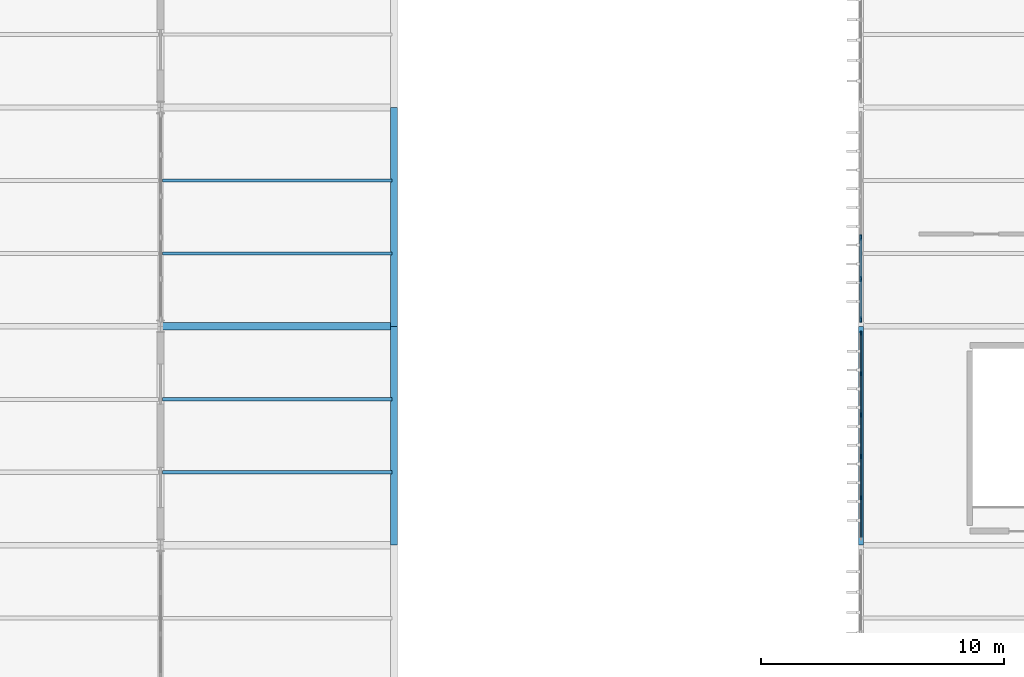
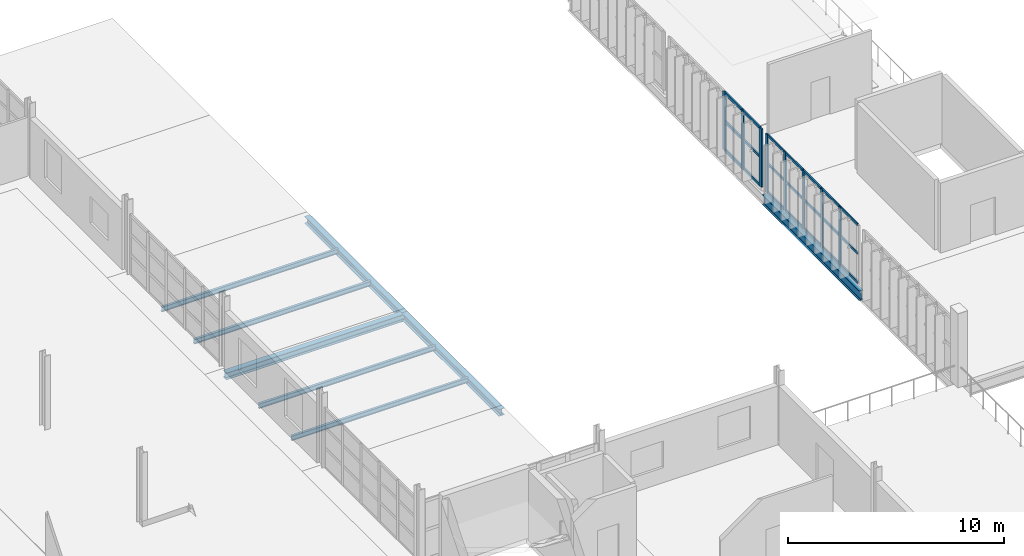
# One storey, part 22 of 82: 29 members, 8 beams, 2 elements without a shape of their own.
"""IFC4 building model written with IfcOpenShell, lengths in metres."""

from ifc_helpers import new_model, si_unit, direction, frame, origin, origin_2d, place, context, subcontext, project, spatial, rectangle, i_section, extrude, material, layer, layer_set, material_profile, profile_set, type_object, element, aggregate, save


model = new_model("IFC4")

# Units and contexts
model_context = context("Model", 3, precision=1e-05, world=origin(), true_north=direction((0.0, 1.0)))
body_context = subcontext(model_context, "Body", "Model", "MODEL_VIEW")
ifc_project = project(units=[si_unit("LENGTHUNIT", "METRE"), si_unit("AREAUNIT", "SQUARE_METRE"), si_unit("VOLUMEUNIT", "CUBIC_METRE"), si_unit("PLANEANGLEUNIT", "RADIAN"), si_unit("MASSUNIT", "GRAM", prefix="KILO")], contexts=[model_context])

# Site, building, storey
site_placement = place(None, origin())
site = spatial("IfcSite", under=ifc_project, at=site_placement, CompositionType="ELEMENT")
building_placement = place(site_placement, origin())
building = spatial("IfcBuilding", under=site, at=building_placement, Name="Zarnetskaya Central Station", CompositionType="ELEMENT")
storey_placement = place(building_placement, frame((0.0, 0.0, 10.199951171875)))
storey = spatial("IfcBuildingStorey", under=building, at=storey_placement, Name="L02", CompositionType="ELEMENT", Elevation=10.199951171875)

# Beams
ifc_material_1 = material(Name="Steel S355", Category="steel")
ifc_material_profile_1 = material_profile(ifc_material_1, i_section(OverallWidth=0.135009765625, OverallDepth=0.27001953125, WebThickness=0.006591796875, FlangeThickness=0.01025390625, FilletRadius=0.014892578125, at=origin_2d()), Name="IPE 270")
ifc_profile_set_1 = profile_set([ifc_material_profile_1], Name="Steel S355")
beam_type_1 = type_object("IfcBeamType", Name="BM-JST-270", PredefinedType="JOIST", material=ifc_profile_set_1)
for number, where, z_axis, x_axis, name in (
    (1, (28.8798828125, 34.199951171875, -0.344970703125), (1.0, 0.0, 0.0), (0.0, 1.0, 0.0), "Secondary floor beam SEC-L02-Z999-DE-56-1"),
    (2, (28.8798828125, 37.199951171875, -0.344970703125), (1.0, 0.0, 0.0), (0.0, 1.0, 0.0), "Secondary floor beam SEC-L02-Z999-DE-56-2"),
    (3, (28.8798828125, 43.199951171875, -0.344970703125), (1.0, 0.0, 0.0), (0.0, 1.0, 0.0), "Secondary floor beam SEC-L02-Z999-DE-67-1"),
    (4, (28.8798828125, 46.199951171875, -0.344970703125), (1.0, 0.0, 0.0), (0.0, 1.0, 0.0), "Secondary floor beam SEC-L02-Z999-DE-67-2"),
):
    element("IfcBeam", number, at=place(storey_placement, frame(where, z_axis=z_axis, x_axis=x_axis)), inside=storey, type_object=beam_type_1, Name=name, PredefinedType="JOIST", context=body_context, shape_type="SweptSolid", body=[
        extrude(i_section(OverallWidth=0.135009765625, OverallDepth=0.27001953125, WebThickness=0.006591796875, FlangeThickness=0.01025390625, FilletRadius=0.014892578125, at=origin_2d()), origin(), (0.0, 0.0, 1.0), 9.440185546875),
    ])

# Curtain wall, members
ifc_material_2 = material(Name="Low-E insulated glass", Category="glass")
ifc_layer = layer(ifc_material_2, 0.176025390625, Name="Low-E insulated glass", Category="glass")
ifc_layer_set = layer_set([ifc_layer], Name="Low-E insulated glass")
curtain_wall_type = type_object("IfcCurtainWallType", Name="CW-SYS-15", PredefinedType="USERDEFINED", material=ifc_layer_set)
curtain_wall_1_placement = place(storey_placement, origin())
curtain_wall_1 = element("IfcCurtainWall", 5, at=curtain_wall_1_placement, inside=storey, type_object=curtain_wall_type, Name="Curtain wall CW-L02-091", ObjectType="CURTAIN WALL", PredefinedType="USERDEFINED")
ifc_material_3 = material(Name="Anodised aluminium", Category="aluminium")
ifc_material_profile_2 = material_profile(ifc_material_3, rectangle(XDim=0.070068359375, YDim=0.179931640625, at=origin_2d()), Name="ALU MULL 70x180")
ifc_profile_set_2 = profile_set([ifc_material_profile_2], Name="Anodised aluminium")
member_type_1 = type_object("IfcMemberType", Name="CW-MULL-180", PredefinedType="MULLION", material=ifc_profile_set_2)
member_1_placement = place(storey_placement, frame((57.60009765625, 33.14990234375, 0.0), z_axis=(0.0, 0.0, 1.0), x_axis=(-1.0, 0.0, 0.0)))
member_1 = element("IfcMember", 6, at=member_1_placement, type_object=member_type_1, Name="CW-05 mullion 2", PredefinedType="MULLION", context=body_context, shape_type="SweptSolid", body=[
    extrude(rectangle(XDim=0.070068359375, YDim=0.179931640625, at=origin_2d()), origin(), (0.0, 0.0, 1.0), 3.300048828125),
])
member_2_placement = place(storey_placement, frame((57.60009765625, 34.85009765625, 0.0), z_axis=(0.0, 0.0, 1.0), x_axis=(-1.0, 0.0, 0.0)))
member_2 = element("IfcMember", 7, at=member_2_placement, type_object=member_type_1, Name="CW-05 mullion 3", PredefinedType="MULLION", context=body_context, shape_type="SweptSolid", body=[
    extrude(rectangle(XDim=0.070068359375, YDim=0.179931640625, at=origin_2d()), origin(), (0.0, 0.0, 1.0), 3.300048828125),
])
member_3_placement = place(storey_placement, frame((57.60009765625, 36.550048828125, 0.0), z_axis=(0.0, 0.0, 1.0), x_axis=(-1.0, 0.0, 0.0)))
member_3 = element("IfcMember", 8, at=member_3_placement, type_object=member_type_1, Name="CW-05 mullion 4", PredefinedType="MULLION", context=body_context, shape_type="SweptSolid", body=[
    extrude(rectangle(XDim=0.070068359375, YDim=0.179931640625, at=origin_2d()), origin(), (0.0, 0.0, 1.0), 3.300048828125),
])
member_4_placement = place(storey_placement, frame((57.60009765625, 38.25, 0.0), z_axis=(0.0, 0.0, 1.0), x_axis=(-1.0, 0.0, 0.0)))
member_4 = element("IfcMember", 9, at=member_4_placement, type_object=member_type_1, Name="CW-05 mullion 5", PredefinedType="MULLION", context=body_context, shape_type="SweptSolid", body=[
    extrude(rectangle(XDim=0.070068359375, YDim=0.179931640625, at=origin_2d()), origin(), (0.0, 0.0, 1.0), 3.300048828125),
])
member_5_placement = place(storey_placement, frame((57.60009765625, 39.9150390625, 0.0), z_axis=(0.0, 0.0, 1.0), x_axis=(-1.0, 0.0, 0.0)))
member_5 = element("IfcMember", 10, at=member_5_placement, type_object=member_type_1, Name="CW-05 mullion 6", PredefinedType="MULLION", context=body_context, shape_type="SweptSolid", body=[
    extrude(rectangle(XDim=0.070068359375, YDim=0.179931640625, at=origin_2d()), origin(), (0.0, 0.0, 1.0), 3.300048828125),
])

curtain_wall_2_placement = place(storey_placement, origin())
curtain_wall_2 = element("IfcCurtainWall", 11, at=curtain_wall_2_placement, inside=storey, type_object=curtain_wall_type, Name="Curtain wall CW-L02-094", ObjectType="CURTAIN WALL", PredefinedType="USERDEFINED")
ifc_material_profile_3 = material_profile(ifc_material_3, rectangle(XDim=0.080078125, YDim=0.219970703125, at=origin_2d()), Name="ALU MULL 80x220")
ifc_profile_set_3 = profile_set([ifc_material_profile_3], Name="Anodised aluminium")
member_type_2 = type_object("IfcMemberType", Name="CW-MULL-220", PredefinedType="MULLION", material=ifc_profile_set_3)
member_6_placement = place(storey_placement, frame((57.60009765625, 40.489990234375, 0.0), z_axis=(0.0, 0.0, 1.0), x_axis=(-1.0, 0.0, 0.0)))
member_6 = element("IfcMember", 12, at=member_6_placement, type_object=member_type_2, Name="CW-05 mullion 1", PredefinedType="MULLION", context=body_context, shape_type="SweptSolid", body=[
    extrude(rectangle(XDim=0.080078125, YDim=0.219970703125, at=origin_2d()), origin(), (0.0, 0.0, 1.0), 3.300048828125),
])
member_7_placement = place(storey_placement, frame((57.60009765625, 42.14990234375, 0.0), z_axis=(0.0, 0.0, 1.0), x_axis=(-1.0, 0.0, 0.0)))
member_7 = element("IfcMember", 13, at=member_7_placement, type_object=member_type_2, Name="CW-05 mullion 2", PredefinedType="MULLION", context=body_context, shape_type="SweptSolid", body=[
    extrude(rectangle(XDim=0.080078125, YDim=0.219970703125, at=origin_2d()), origin(), (0.0, 0.0, 1.0), 3.300048828125),
])
member_8_placement = place(storey_placement, frame((57.60009765625, 43.85009765625, 0.0), z_axis=(0.0, 0.0, 1.0), x_axis=(-1.0, 0.0, 0.0)))
member_8 = element("IfcMember", 14, at=member_8_placement, type_object=member_type_2, Name="CW-05 mullion 3", PredefinedType="MULLION", context=body_context, shape_type="SweptSolid", body=[
    extrude(rectangle(XDim=0.080078125, YDim=0.219970703125, at=origin_2d()), origin(), (0.0, 0.0, 1.0), 3.300048828125),
])

# Member
ifc_material_profile_4 = material_profile(ifc_material_3, rectangle(XDim=0.070068359375, YDim=0.139892578125, at=origin_2d()), Name="ALU TRAN 70x140")
ifc_profile_set_4 = profile_set([ifc_material_profile_4], Name="Anodised aluminium")
member_type_3 = type_object("IfcMemberType", Name="CW-TRAN-140", PredefinedType="USERDEFINED", material=ifc_profile_set_4)
member_9_placement = place(storey_placement, frame((57.60009765625, 31.52001953125, 0.03515625), z_axis=(0.0, 1.0, 0.0), x_axis=(-1.0, 0.0, 0.0)))
member_9 = element("IfcMember", 15, at=member_9_placement, type_object=member_type_3, Name="CW-05 transom 1.1", ObjectType="TRANSOM", PredefinedType="USERDEFINED", context=body_context, shape_type="SweptSolid", body=[
    extrude(rectangle(XDim=0.070068359375, YDim=0.139892578125, at=origin_2d()), origin(), (0.0, 0.0, 1.0), 1.594970703125),
])

member_10_placement = place(storey_placement, frame((57.60009765625, 31.52001953125, 1.650146484375), z_axis=(0.0, 1.0, 0.0), x_axis=(-1.0, 0.0, 0.0)))
member_10 = element("IfcMember", 16, at=member_10_placement, type_object=member_type_3, Name="CW-05 transom 1.2", ObjectType="TRANSOM", PredefinedType="USERDEFINED", context=body_context, shape_type="SweptSolid", body=[
    extrude(rectangle(XDim=0.070068359375, YDim=0.139892578125, at=origin_2d()), origin(), (0.0, 0.0, 1.0), 1.594970703125),
])

member_11_placement = place(storey_placement, frame((57.60009765625, 31.52001953125, 3.26513671875), z_axis=(0.0, 1.0, 0.0), x_axis=(-1.0, 0.0, 0.0)))
member_11 = element("IfcMember", 17, at=member_11_placement, type_object=member_type_3, Name="CW-05 transom 1.3", ObjectType="TRANSOM", PredefinedType="USERDEFINED", context=body_context, shape_type="SweptSolid", body=[
    extrude(rectangle(XDim=0.070068359375, YDim=0.139892578125, at=origin_2d()), origin(), (0.0, 0.0, 1.0), 1.594970703125),
])

member_12_placement = place(storey_placement, frame((57.60009765625, 33.18505859375, 0.03515625), z_axis=(0.0, 1.0, 0.0), x_axis=(-1.0, 0.0, 0.0)))
member_12 = element("IfcMember", 18, at=member_12_placement, type_object=member_type_3, Name="CW-05 transom 2.1", ObjectType="TRANSOM", PredefinedType="USERDEFINED", context=body_context, shape_type="SweptSolid", body=[
    extrude(rectangle(XDim=0.070068359375, YDim=0.139892578125, at=origin_2d()), origin(), (0.0, 0.0, 1.0), 1.6298828125),
])

member_13_placement = place(storey_placement, frame((57.60009765625, 33.18505859375, 1.650146484375), z_axis=(0.0, 1.0, 0.0), x_axis=(-1.0, 0.0, 0.0)))
member_13 = element("IfcMember", 19, at=member_13_placement, type_object=member_type_3, Name="CW-05 transom 2.2", ObjectType="TRANSOM", PredefinedType="USERDEFINED", context=body_context, shape_type="SweptSolid", body=[
    extrude(rectangle(XDim=0.070068359375, YDim=0.139892578125, at=origin_2d()), origin(), (0.0, 0.0, 1.0), 1.6298828125),
])

member_14_placement = place(storey_placement, frame((57.60009765625, 33.18505859375, 3.26513671875), z_axis=(0.0, 1.0, 0.0), x_axis=(-1.0, 0.0, 0.0)))
member_14 = element("IfcMember", 20, at=member_14_placement, type_object=member_type_3, Name="CW-05 transom 2.3", ObjectType="TRANSOM", PredefinedType="USERDEFINED", context=body_context, shape_type="SweptSolid", body=[
    extrude(rectangle(XDim=0.070068359375, YDim=0.139892578125, at=origin_2d()), origin(), (0.0, 0.0, 1.0), 1.6298828125),
])

member_15_placement = place(storey_placement, frame((57.60009765625, 34.885009765625, 0.03515625), z_axis=(0.0, 1.0, 0.0), x_axis=(-1.0, 0.0, 0.0)))
member_15 = element("IfcMember", 21, at=member_15_placement, type_object=member_type_3, Name="CW-05 transom 3.1", ObjectType="TRANSOM", PredefinedType="USERDEFINED", context=body_context, shape_type="SweptSolid", body=[
    extrude(rectangle(XDim=0.070068359375, YDim=0.139892578125, at=origin_2d()), origin(), (0.0, 0.0, 1.0), 1.6298828125),
])

member_16_placement = place(storey_placement, frame((57.60009765625, 34.885009765625, 1.650146484375), z_axis=(0.0, 1.0, 0.0), x_axis=(-1.0, 0.0, 0.0)))
member_16 = element("IfcMember", 22, at=member_16_placement, type_object=member_type_3, Name="CW-05 transom 3.2", ObjectType="TRANSOM", PredefinedType="USERDEFINED", context=body_context, shape_type="SweptSolid", body=[
    extrude(rectangle(XDim=0.070068359375, YDim=0.139892578125, at=origin_2d()), origin(), (0.0, 0.0, 1.0), 1.6298828125),
])

member_17_placement = place(storey_placement, frame((57.60009765625, 34.885009765625, 3.26513671875), z_axis=(0.0, 1.0, 0.0), x_axis=(-1.0, 0.0, 0.0)))
member_17 = element("IfcMember", 23, at=member_17_placement, type_object=member_type_3, Name="CW-05 transom 3.3", ObjectType="TRANSOM", PredefinedType="USERDEFINED", context=body_context, shape_type="SweptSolid", body=[
    extrude(rectangle(XDim=0.070068359375, YDim=0.139892578125, at=origin_2d()), origin(), (0.0, 0.0, 1.0), 1.6298828125),
])

member_18_placement = place(storey_placement, frame((57.60009765625, 36.5849609375, 0.03515625), z_axis=(0.0, 1.0, 0.0), x_axis=(-1.0, 0.0, 0.0)))
member_18 = element("IfcMember", 24, at=member_18_placement, type_object=member_type_3, Name="CW-05 transom 4.1", ObjectType="TRANSOM", PredefinedType="USERDEFINED", context=body_context, shape_type="SweptSolid", body=[
    extrude(rectangle(XDim=0.070068359375, YDim=0.139892578125, at=origin_2d()), origin(), (0.0, 0.0, 1.0), 1.630126953125),
])

member_19_placement = place(storey_placement, frame((57.60009765625, 36.5849609375, 1.650146484375), z_axis=(0.0, 1.0, 0.0), x_axis=(-1.0, 0.0, 0.0)))
member_19 = element("IfcMember", 25, at=member_19_placement, type_object=member_type_3, Name="CW-05 transom 4.2", ObjectType="TRANSOM", PredefinedType="USERDEFINED", context=body_context, shape_type="SweptSolid", body=[
    extrude(rectangle(XDim=0.070068359375, YDim=0.139892578125, at=origin_2d()), origin(), (0.0, 0.0, 1.0), 1.630126953125),
])

member_20_placement = place(storey_placement, frame((57.60009765625, 36.5849609375, 3.26513671875), z_axis=(0.0, 1.0, 0.0), x_axis=(-1.0, 0.0, 0.0)))
member_20 = element("IfcMember", 26, at=member_20_placement, type_object=member_type_3, Name="CW-05 transom 4.3", ObjectType="TRANSOM", PredefinedType="USERDEFINED", context=body_context, shape_type="SweptSolid", body=[
    extrude(rectangle(XDim=0.070068359375, YDim=0.139892578125, at=origin_2d()), origin(), (0.0, 0.0, 1.0), 1.630126953125),
])

member_21_placement = place(storey_placement, frame((57.60009765625, 38.284912109375, 0.03515625), z_axis=(0.0, 1.0, 0.0), x_axis=(-1.0, 0.0, 0.0)))
member_21 = element("IfcMember", 27, at=member_21_placement, type_object=member_type_3, Name="CW-05 transom 5.1", ObjectType="TRANSOM", PredefinedType="USERDEFINED", context=body_context, shape_type="SweptSolid", body=[
    extrude(rectangle(XDim=0.070068359375, YDim=0.139892578125, at=origin_2d()), origin(), (0.0, 0.0, 1.0), 1.594970703125),
])

member_22_placement = place(storey_placement, frame((57.60009765625, 38.284912109375, 1.650146484375), z_axis=(0.0, 1.0, 0.0), x_axis=(-1.0, 0.0, 0.0)))
member_22 = element("IfcMember", 28, at=member_22_placement, type_object=member_type_3, Name="CW-05 transom 5.2", ObjectType="TRANSOM", PredefinedType="USERDEFINED", context=body_context, shape_type="SweptSolid", body=[
    extrude(rectangle(XDim=0.070068359375, YDim=0.139892578125, at=origin_2d()), origin(), (0.0, 0.0, 1.0), 1.594970703125),
])

member_23_placement = place(storey_placement, frame((57.60009765625, 38.284912109375, 3.26513671875), z_axis=(0.0, 1.0, 0.0), x_axis=(-1.0, 0.0, 0.0)))
member_23 = element("IfcMember", 29, at=member_23_placement, type_object=member_type_3, Name="CW-05 transom 5.3", ObjectType="TRANSOM", PredefinedType="USERDEFINED", context=body_context, shape_type="SweptSolid", body=[
    extrude(rectangle(XDim=0.070068359375, YDim=0.139892578125, at=origin_2d()), origin(), (0.0, 0.0, 1.0), 1.594970703125),
])

aggregate(curtain_wall_1, [member_1, member_2, member_3, member_4, member_5, member_9, member_10, member_11, member_12, member_13, member_14, member_15, member_16, member_17, member_18, member_19, member_20, member_21, member_22, member_23])

ifc_material_profile_5 = material_profile(ifc_material_3, rectangle(XDim=0.080078125, YDim=0.159912109375, at=origin_2d()), Name="ALU TRAN 80x160")
ifc_profile_set_5 = profile_set([ifc_material_profile_5], Name="Anodised aluminium")
member_type_4 = type_object("IfcMemberType", Name="CW-TRAN-160", PredefinedType="USERDEFINED", material=ifc_profile_set_5)
member_24_placement = place(storey_placement, frame((57.60009765625, 40.530029296875, 0.0400390625), z_axis=(0.0, 1.0, 0.0), x_axis=(-1.0, 0.0, 0.0)))
member_24 = element("IfcMember", 30, at=member_24_placement, type_object=member_type_4, Name="CW-05 transom 1.1", ObjectType="TRANSOM", PredefinedType="USERDEFINED", context=body_context, shape_type="SweptSolid", body=[
    extrude(rectangle(XDim=0.080078125, YDim=0.159912109375, at=origin_2d()), origin(), (0.0, 0.0, 1.0), 1.580078125),
])

member_25_placement = place(storey_placement, frame((57.60009765625, 40.530029296875, 1.650146484375), z_axis=(0.0, 1.0, 0.0), x_axis=(-1.0, 0.0, 0.0)))
member_25 = element("IfcMember", 31, at=member_25_placement, type_object=member_type_4, Name="CW-05 transom 1.2", ObjectType="TRANSOM", PredefinedType="USERDEFINED", context=body_context, shape_type="SweptSolid", body=[
    extrude(rectangle(XDim=0.080078125, YDim=0.159912109375, at=origin_2d()), origin(), (0.0, 0.0, 1.0), 1.580078125),
])

member_26_placement = place(storey_placement, frame((57.60009765625, 40.530029296875, 3.260009765625), z_axis=(0.0, 1.0, 0.0), x_axis=(-1.0, 0.0, 0.0)))
member_26 = element("IfcMember", 32, at=member_26_placement, type_object=member_type_4, Name="CW-05 transom 1.3", ObjectType="TRANSOM", PredefinedType="USERDEFINED", context=body_context, shape_type="SweptSolid", body=[
    extrude(rectangle(XDim=0.080078125, YDim=0.159912109375, at=origin_2d()), origin(), (0.0, 0.0, 1.0), 1.580078125),
])

member_27_placement = place(storey_placement, frame((57.60009765625, 42.18994140625, 0.0400390625), z_axis=(0.0, 1.0, 0.0), x_axis=(-1.0, 0.0, 0.0)))
member_27 = element("IfcMember", 33, at=member_27_placement, type_object=member_type_4, Name="CW-05 transom 2.1", ObjectType="TRANSOM", PredefinedType="USERDEFINED", context=body_context, shape_type="SweptSolid", body=[
    extrude(rectangle(XDim=0.080078125, YDim=0.159912109375, at=origin_2d()), origin(), (0.0, 0.0, 1.0), 1.6201171875),
])

member_28_placement = place(storey_placement, frame((57.60009765625, 42.18994140625, 1.650146484375), z_axis=(0.0, 1.0, 0.0), x_axis=(-1.0, 0.0, 0.0)))
member_28 = element("IfcMember", 34, at=member_28_placement, type_object=member_type_4, Name="CW-05 transom 2.2", ObjectType="TRANSOM", PredefinedType="USERDEFINED", context=body_context, shape_type="SweptSolid", body=[
    extrude(rectangle(XDim=0.080078125, YDim=0.159912109375, at=origin_2d()), origin(), (0.0, 0.0, 1.0), 1.6201171875),
])

member_29_placement = place(storey_placement, frame((57.60009765625, 42.18994140625, 3.260009765625), z_axis=(0.0, 1.0, 0.0), x_axis=(-1.0, 0.0, 0.0)))
member_29 = element("IfcMember", 35, at=member_29_placement, type_object=member_type_4, Name="CW-05 transom 2.3", ObjectType="TRANSOM", PredefinedType="USERDEFINED", context=body_context, shape_type="SweptSolid", body=[
    extrude(rectangle(XDim=0.080078125, YDim=0.159912109375, at=origin_2d()), origin(), (0.0, 0.0, 1.0), 1.6201171875),
])

aggregate(curtain_wall_2, [member_6, member_7, member_8, member_24, member_25, member_26, member_27, member_28, member_29])

# Beams
ifc_material_profile_6 = material_profile(ifc_material_1, i_section(OverallWidth=0.2099609375, OverallDepth=0.550048828125, WebThickness=0.010986328125, FlangeThickness=0.01708984375, FilletRadius=0.02392578125, at=origin_2d()), Name="IPE 550")
ifc_profile_set_6 = profile_set([ifc_material_profile_6], Name="Steel S355")
beam_type_2 = type_object("IfcBeamType", Name="GD-FLR-550", PredefinedType="USERDEFINED", material=ifc_profile_set_6)
beam_1_placement = place(storey_placement, frame((57.60009765625, 31.199951171875, -0.534912109375), z_axis=(0.0, 1.0, 0.0), x_axis=(-1.0, 0.0, 0.0)))
element("IfcBeam", 36, at=beam_1_placement, inside=storey, type_object=beam_type_2, Name="Grid girder GY-L02-G-56", ObjectType="GIRDER", PredefinedType="USERDEFINED", context=body_context, shape_type="SweptSolid", body=[
    extrude(i_section(OverallWidth=0.2099609375, OverallDepth=0.550048828125, WebThickness=0.010986328125, FlangeThickness=0.01708984375, FilletRadius=0.02392578125, at=origin_2d()), origin(), (0.0, 0.0, 1.0), 9.0),
])
ifc_material_profile_7 = material_profile(ifc_material_1, i_section(OverallWidth=0.300048828125, OverallDepth=0.389892578125, WebThickness=0.010986328125, FlangeThickness=0.01904296875, FilletRadius=0.027099609375, at=origin_2d()), Name="HEA 400")
ifc_profile_set_7 = profile_set([ifc_material_profile_7], Name="Steel S355")
beam_type_3 = type_object("IfcBeamType", Name="GD-ROOF-400", PredefinedType="USERDEFINED", material=ifc_profile_set_7)
beam_2_placement = place(storey_placement, frame((28.800048828125, 40.199951171875, -0.405029296875), z_axis=(1.0, 0.0, 0.0), x_axis=(0.0, 1.0, 0.0)))
element("IfcBeam", 37, at=beam_2_placement, inside=storey, type_object=beam_type_3, Name="Grid girder GX-L02-6-DE", ObjectType="GIRDER", PredefinedType="USERDEFINED", context=body_context, shape_type="SweptSolid", body=[
    extrude(i_section(OverallWidth=0.300048828125, OverallDepth=0.389892578125, WebThickness=0.010986328125, FlangeThickness=0.01904296875, FilletRadius=0.027099609375, at=origin_2d()), origin(), (0.0, 0.0, 1.0), 9.599853515625),
])
for number, where, z_axis, x_axis, name in (
    (38, (38.39990234375, 31.199951171875, -0.405029296875), (0.0, 1.0, 0.0), (-1.0, 0.0, 0.0), "Grid girder GY-L02-E-56"),
    (39, (38.39990234375, 40.199951171875, -0.405029296875), (0.0, 1.0, 0.0), (-1.0, 0.0, 0.0), "Grid girder GY-L02-E-67"),
):
    element("IfcBeam", number, at=place(storey_placement, frame(where, z_axis=z_axis, x_axis=x_axis)), inside=storey, type_object=beam_type_3, Name=name, ObjectType="GIRDER", PredefinedType="USERDEFINED", context=body_context, shape_type="SweptSolid", body=[
        extrude(i_section(OverallWidth=0.300048828125, OverallDepth=0.389892578125, WebThickness=0.010986328125, FlangeThickness=0.01904296875, FilletRadius=0.027099609375, at=origin_2d()), origin(), (0.0, 0.0, 1.0), 9.0),
    ])

save(model, "model.ifc")
